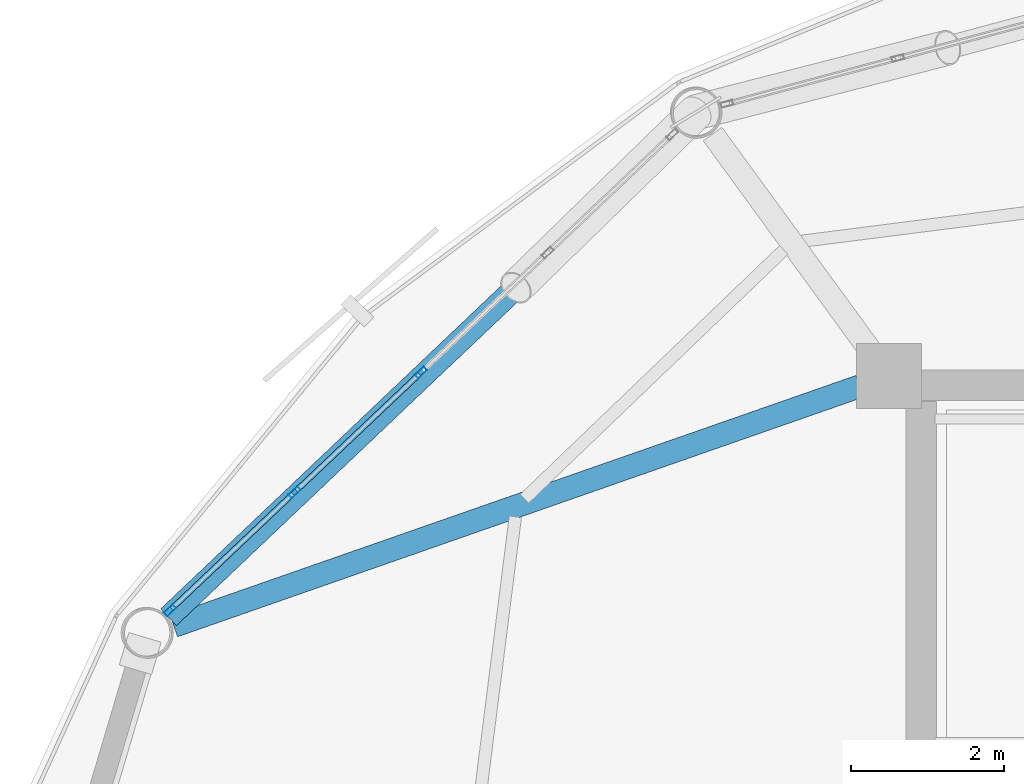
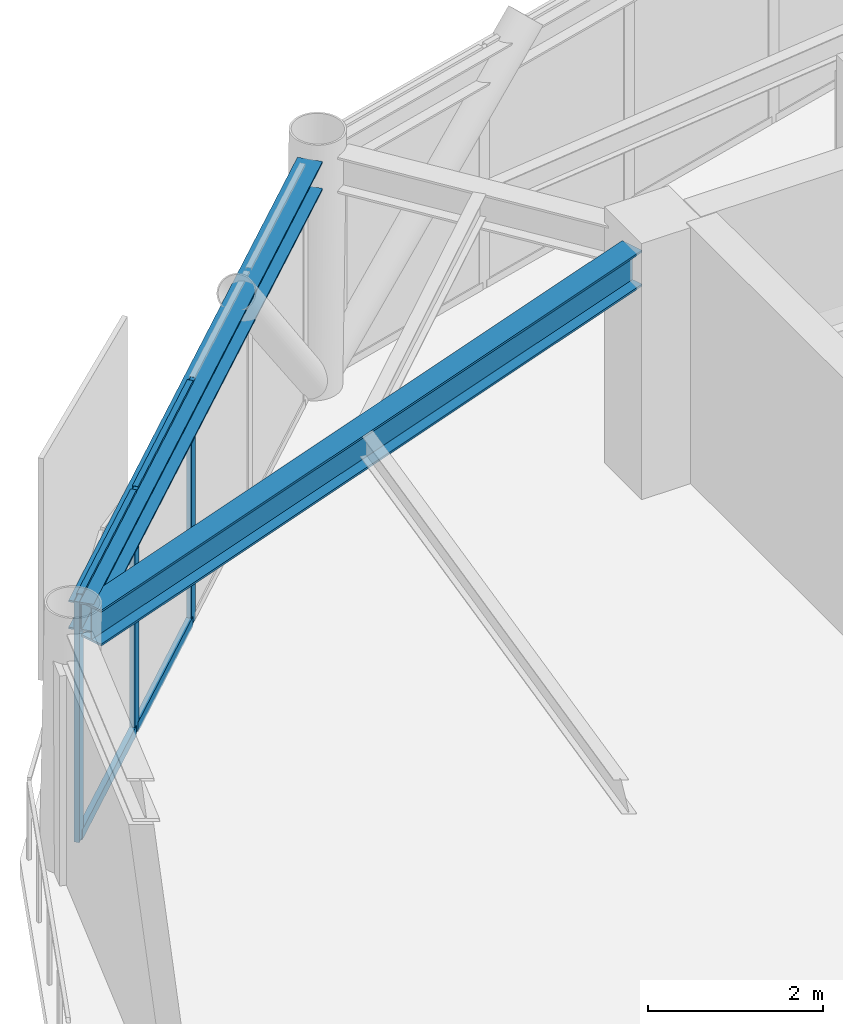
# One storey, part 14 of 29: 7 members, 2 beams, 1 element without a shape of its own.
"""IFC4 building model written with IfcOpenShell, lengths in metres."""

import ifcopenshell
import ifcopenshell.guid

model = None  # the IFC model being written
_history = None  # IfcOwnerHistory: only IFC2X3 demands one
_inside = {}  # id of a spatial element -> (the spatial element, [elements in it])
_under = {}  # id of a project, library or spatial element -> (it, [spatial elements below it])
_declared = {}  # id of a project -> (the project, [libraries it declares])
_typed = {}  # id of a type object -> (the type object, [elements of that type])
_made_of = {}  # id of a material, layer set ... -> (it, [elements and type objects made of it])


def new_model(schema):
    """Start an empty IFC model of exactly this schema.

    Asked for "IFC4X3", IfcOpenShell would pick the latest addendum, in which some entities
    have other attributes; the version numbers below select the first issue.
    IFC2X3 requires an IfcOwnerHistory on every rooted entity: one is made here for all.
    """
    global model, _history
    if schema == "IFC4X3":
        model = ifcopenshell.file(schema_version=(4, 3, 0, 0))
    else:
        model = ifcopenshell.file(schema=schema)
    _inside.clear()
    _under.clear()
    _declared.clear()
    _typed.clear()
    _made_of.clear()
    _history = None
    if model.schema == "IFC2X3":
        org = make("IfcOrganization", Name="unknown")
        user = make(
            "IfcPersonAndOrganization",
            ThePerson=make("IfcPerson", FamilyName="unknown"),
            TheOrganization=org,
        )
        app = make(
            "IfcApplication",
            ApplicationDeveloper=org,
            Version="unknown",
            ApplicationFullName="unknown",
            ApplicationIdentifier="unknown",
        )
        _history = make(
            "IfcOwnerHistory",
            OwningUser=user,
            OwningApplication=app,
            ChangeAction="ADDED",
            CreationDate=0,
        )
    return model


def make(cls, **values):
    """One entity of the class cls with the attributes given. An attribute that is None is left unset."""
    return model.create_entity(
        cls, **{name: value for name, value in values.items() if value is not None}
    )


def rooted(cls, **values):
    """An entity with a GlobalId (a new one), such as an element, a storey or a relation."""
    return make(cls, GlobalId=ifcopenshell.guid.new(), OwnerHistory=_history, **values)


def si_unit(unit_type, name, prefix=None):
    """IfcSIUnit, for example si_unit("LENGTHUNIT", "METRE", prefix="MILLI")."""
    return make("IfcSIUnit", UnitType=unit_type, Prefix=prefix, Name=name)


def assignment(units):
    """IfcUnitAssignment: the units of a project."""
    return None if units is None else make("IfcUnitAssignment", Units=units)


def point(xyz):
    """IfcCartesianPoint."""
    return None if xyz is None else make("IfcCartesianPoint", Coordinates=xyz)


def direction(xyz):
    """IfcDirection."""
    return None if xyz is None else make("IfcDirection", DirectionRatios=xyz)


def frame(location, z_axis=None, x_axis=None):
    """IfcAxis2Placement3D, a coordinate frame: its origin and axes. An axis left out is left unset."""
    return make(
        "IfcAxis2Placement3D",
        Location=point(location),
        Axis=direction(z_axis),
        RefDirection=direction(x_axis),
    )


def frame_2d(location, x_axis=None):
    """IfcAxis2Placement2D, a coordinate frame in the plane: its origin and x axis."""
    return make(
        "IfcAxis2Placement2D", Location=point(location), RefDirection=direction(x_axis)
    )


def origin():
    """The frame at (0, 0, 0) with its axes left unset."""
    return frame((0.0, 0.0, 0.0))


def origin_2d():
    """The frame at (0, 0) in the plane with its x axis left unset."""
    return frame_2d((0.0, 0.0))


def place(relative_to, where):
    """IfcLocalPlacement: puts the frame where relative to a parent placement (None: the world)."""
    return make(
        "IfcLocalPlacement", PlacementRelTo=relative_to, RelativePlacement=where
    )


def context(
    kind, dimensions, precision=None, world=None, true_north=None, identifier=None
):
    """IfcGeometricRepresentationContext, for example the 3D "Model" context."""
    return make(
        "IfcGeometricRepresentationContext",
        ContextIdentifier=identifier,
        ContextType=kind,
        CoordinateSpaceDimension=dimensions,
        Precision=precision,
        WorldCoordinateSystem=world,
        TrueNorth=true_north,
    )


def subcontext(parent, identifier, kind, view, scale=None):
    """IfcGeometricRepresentationSubContext, for example "Body" below "Model"."""
    return make(
        "IfcGeometricRepresentationSubContext",
        ContextIdentifier=identifier,
        ContextType=kind,
        ParentContext=parent,
        TargetScale=scale,
        TargetView=view,
    )


def project(units=None, contexts=None):
    """IfcProject with its units and contexts."""
    return rooted(
        "IfcProject",
        Name="project",
        RepresentationContexts=contexts,
        UnitsInContext=assignment(units),
    )


def spatial(cls, under=None, at=None, **own):
    """A site, building, storey or space (cls), placed at a placement, below another one or the project."""
    s = rooted(cls, ObjectPlacement=at, **own)
    if under is not None:
        _under.setdefault(under.id(), (under, []))[1].append(s)
    return s


def profile(cls, at=None, kind="AREA", **sizes):
    """A parametric profile (cls). Its sizes go by their IFC names, for example OverallWidth=200.0."""
    return make(cls, ProfileType=kind, Position=at, **sizes)


def hollow_rectangle(**sizes):
    """IfcRectangleHollowProfileDef."""
    return profile("IfcRectangleHollowProfileDef", **sizes)


def i_section(**sizes):
    """IfcIShapeProfileDef."""
    return profile("IfcIShapeProfileDef", **sizes)


def extrude(swept, where, along, depth):
    """IfcExtrudedAreaSolid: the profile swept, set in the frame where, extruded along a direction by depth."""
    return make(
        "IfcExtrudedAreaSolid",
        SweptArea=swept,
        Position=where,
        ExtrudedDirection=direction(along),
        Depth=depth,
    )


def shape(context_of_items, identifier, shape_type, items):
    """IfcShapeRepresentation: the items that make up one representation, for example the "Body"."""
    return make(
        "IfcShapeRepresentation",
        ContextOfItems=context_of_items,
        RepresentationIdentifier=identifier,
        RepresentationType=shape_type,
        Items=items,
    )


def material(Name=None, Category=None):
    """IfcMaterial."""
    return make("IfcMaterial", Name=Name, Category=Category)


def layer(
    of_material, thickness, ventilated=None, Name=None, Category=None, Priority=None
):
    """IfcMaterialLayer: one layer of a wall or slab, of a material (None: an air gap)."""
    return make(
        "IfcMaterialLayer",
        Material=of_material,
        LayerThickness=thickness,
        IsVentilated=ventilated,
        Name=Name,
        Category=Category,
        Priority=Priority,
    )


def layer_set(layers, Name=None):
    """IfcMaterialLayerSet."""
    return make("IfcMaterialLayerSet", MaterialLayers=layers, LayerSetName=Name)


def material_profile(
    of_material, cross_section, Name=None, Category=None, Priority=None
):
    """IfcMaterialProfile: a cross section and its material."""
    return make(
        "IfcMaterialProfile",
        Name=Name,
        Material=of_material,
        Profile=cross_section,
        Priority=Priority,
        Category=Category,
    )


def profile_set(profiles, Name=None, composite=None):
    """IfcMaterialProfileSet."""
    return make(
        "IfcMaterialProfileSet",
        Name=Name,
        MaterialProfiles=profiles,
        CompositeProfile=composite,
    )


def made_of(thing, what):
    """Note that an element or type object is made of a material, layer set ...; save() writes the relation."""
    if what is not None:
        _made_of.setdefault(what.id(), (what, []))[1].append(thing)
    return thing


def type_object(cls, material=None, **own):
    """A type object (cls), such as IfcWallType, which elements share."""
    return made_of(rooted(cls, **own), material)


def element(
    cls,
    number,
    at=None,
    inside=None,
    cuts=None,
    type_object=None,
    material=None,
    context=None,
    identifier="Body",
    shape_type=None,
    held_by="IfcProductDefinitionShape",
    body=None,
    shapes=None,
    **own,
):
    """One element of the class cls, such as IfcWall. Its Tag is "e" and its number.

    at: its placement. inside: the storey or other place that contains it. cuts: it is an
    opening in that element (IfcRelVoidsElement). A single representation is given by context,
    identifier, shape_type and body (its items); several are given by shapes. held_by: the class
    of the entity that holds the representations. save() writes the other relations.
    """
    e = rooted(cls, Tag="e%d" % number, ObjectPlacement=at, **own)
    if body is not None:
        shapes = [shape(context, identifier, shape_type, body)]
    if shapes is not None:
        e.Representation = make(held_by, Representations=shapes)
    if inside is not None:
        _inside.setdefault(inside.id(), (inside, []))[1].append(e)
    if cuts is not None:
        rooted(
            "IfcRelVoidsElement", RelatingBuildingElement=cuts, RelatedOpeningElement=e
        )
    if type_object is not None:
        _typed.setdefault(type_object.id(), (type_object, []))[1].append(e)
    return made_of(e, material)


def aggregate(whole, parts):
    """IfcRelAggregates: a whole, such as a stair, and the parts it consists of."""
    return rooted("IfcRelAggregates", RelatingObject=whole, RelatedObjects=parts)


def save(model, path):
    """Write the relations noted so far, then the file.

    IfcRelAggregates (storeys below a building ...), IfcRelContainedInSpatialStructure (elements
    in a storey), IfcRelDefinesByType, IfcRelAssociatesMaterial and IfcRelDeclares: one each for
    every whole, place, type object, material and project.
    """
    for whole, parts in _under.values():
        aggregate(whole, parts)
    for where, things in _inside.values():
        rooted(
            "IfcRelContainedInSpatialStructure",
            RelatedElements=things,
            RelatingStructure=where,
        )
    for kind, things in _typed.values():
        rooted("IfcRelDefinesByType", RelatedObjects=things, RelatingType=kind)
    for what, things in _made_of.values():
        rooted("IfcRelAssociatesMaterial", RelatedObjects=things, RelatingMaterial=what)
    for by, libraries in _declared.values():
        rooted("IfcRelDeclares", RelatingContext=by, RelatedDefinitions=libraries)
    model.write(path)


model = new_model("IFC4")

# Units and contexts
model_context = context("Model", 3, precision=1e-05, world=origin(), true_north=direction((0.0, 1.0)))
body_context = subcontext(model_context, "Body", "Model", "MODEL_VIEW")
ifc_project = project(units=[si_unit("LENGTHUNIT", "METRE"), si_unit("AREAUNIT", "SQUARE_METRE"), si_unit("VOLUMEUNIT", "CUBIC_METRE"), si_unit("PLANEANGLEUNIT", "RADIAN"), si_unit("MASSUNIT", "GRAM", prefix="KILO")], contexts=[model_context])

# Site, building, storey
site_placement = place(None, origin())
site = spatial("IfcSite", under=ifc_project, at=site_placement, CompositionType="ELEMENT")
building_placement = place(site_placement, origin())
building = spatial("IfcBuilding", under=site, at=building_placement, Name="Varnakorn Sky Granary", CompositionType="ELEMENT")
storey_placement = place(building_placement, frame((0.0, 0.0, 182.39990234375)))
storey = spatial("IfcBuildingStorey", under=building, at=storey_placement, Name="L45", CompositionType="ELEMENT", Elevation=182.39990234375)

# Beams
ifc_material_1 = material(Name="Steel S355JR", Category="steel")
ifc_material_profile_1 = material_profile(ifc_material_1, i_section(OverallWidth=0.300048828125, OverallDepth=0.5, WebThickness=0.014404296875, FlangeThickness=0.028076171875, at=origin_2d()), Name="HE 500 B")
ifc_profile_set_1 = profile_set([ifc_material_profile_1], Name="Steel S355JR")
beam_type_1 = type_object("IfcBeamType", Name="BM-RAD-Z4", PredefinedType="BEAM", material=ifc_profile_set_1)
beam_1_placement = place(storey_placement, frame((-2.80224609375, 12.486328125, 3.110107421875), z_axis=(-0.944052547942, -0.329795067768, 0.0), x_axis=(0.329795067768, -0.944052547942, 0.0)))
element("IfcBeam", 1, at=beam_1_placement, inside=storey, type_object=beam_type_1, Name="Radial Floor Girder RG06 L45", PredefinedType="BEAM", context=body_context, shape_type="SweptSolid", body=[
    extrude(i_section(OverallWidth=0.300048828125, OverallDepth=0.5, WebThickness=0.014404296875, FlangeThickness=0.028076171875, at=origin_2d()), origin(), (0.0, 0.0, 1.0), 9.478515625),
])
ifc_material_profile_2 = material_profile(ifc_material_1, i_section(OverallWidth=0.300048828125, OverallDepth=0.39990234375, WebThickness=0.013427734375, FlangeThickness=0.02392578125, at=origin_2d()), Name="HE 400 B")
ifc_profile_set_2 = profile_set([ifc_material_profile_2], Name="Steel S355JR")
beam_type_2 = type_object("IfcBeamType", Name="BM-SPD-Z4", PredefinedType="SPANDREL", material=ifc_profile_set_2)
beam_2_placement = place(storey_placement, frame((-5.134521484375, 15.81591796875, 3.16015625), z_axis=(-0.725435205261, -0.688290464098, 0.0), x_axis=(0.688290464098, -0.725435205261, 0.0)))
element("IfcBeam", 2, at=beam_2_placement, inside=storey, type_object=beam_type_2, Name="Perimeter Spandrel Ring Beam RB05 L45", PredefinedType="SPANDREL", context=body_context, shape_type="SweptSolid", body=[
    extrude(i_section(OverallWidth=0.300048828125, OverallDepth=0.39990234375, WebThickness=0.013427734375, FlangeThickness=0.02392578125, at=origin_2d()), origin(), (0.0, 0.0, 1.0), 9.21484375),
])

# Curtain wall, members
ifc_material_2 = material(Name="Anodised Bronze Aluminium Alloy 6063-T6", Category="aluminium")
ifc_layer = layer(ifc_material_2, 0.169921875, Name="Anodised Bronze Aluminium Alloy 6063-T6")
ifc_layer_set = layer_set([ifc_layer], Name="Anodised Bronze Aluminium Alloy 6063-T6")
curtain_wall_type = type_object("IfcCurtainWallType", Name="CW-LAB-1", PredefinedType="USERDEFINED", material=ifc_layer_set)
curtain_wall_placement = place(storey_placement, origin())
curtain_wall = element("IfcCurtainWall", 3, at=curtain_wall_placement, inside=storey, type_object=curtain_wall_type, Name="Unitised Curtain Wall CW5 CW-L45-B05", ObjectType="CURTAIN WALL", PredefinedType="USERDEFINED")
ifc_material_profile_3 = material_profile(ifc_material_2, hollow_rectangle(XDim=0.06494140625, YDim=0.159912109375, WallThickness=0.00341796875, at=origin_2d()), Name="ALU MULL 65x160")
ifc_profile_set_3 = profile_set([ifc_material_profile_3], Name="Anodised Bronze Aluminium Alloy 6063-T6")
member_type_1 = type_object("IfcMemberType", Name="CW-LAB-1-MULL", PredefinedType="MULLION", material=ifc_profile_set_3)
member_1_placement = place(storey_placement, frame((-11.800048828125, 9.56396484375, 0.0), z_axis=(0.0, 0.0, 1.0), x_axis=(-0.687692477005, 0.726002105418, 0.0)))
member_1 = element("IfcMember", 4, at=member_1_placement, type_object=member_type_1, Name="CW5 mullion 1", PredefinedType="MULLION", context=body_context, shape_type="SweptSolid", body=[
    extrude(hollow_rectangle(XDim=0.06494140625, YDim=0.159912109375, WallThickness=0.00341796875, at=origin_2d()), origin(), (0.0, 0.0, 1.0), 3.360107421875),
])
member_2_placement = place(storey_placement, frame((-10.173583984375, 11.104736328125, 0.0), z_axis=(0.0, 0.0, 1.0), x_axis=(-0.687692477005, 0.726002105418, 0.0)))
member_2 = element("IfcMember", 5, at=member_2_placement, type_object=member_type_1, Name="CW5 mullion 2", PredefinedType="MULLION", context=body_context, shape_type="SweptSolid", body=[
    extrude(hollow_rectangle(XDim=0.06494140625, YDim=0.159912109375, WallThickness=0.00341796875, at=origin_2d()), origin(), (0.0, 0.0, 1.0), 3.360107421875),
])
member_3_placement = place(storey_placement, frame((-8.5234375, 12.66796875, 0.0), z_axis=(0.0, 0.0, 1.0), x_axis=(-0.687692477005, 0.726002105418, 0.0)))
member_3 = element("IfcMember", 6, at=member_3_placement, type_object=member_type_1, Name="CW5 mullion 3", PredefinedType="MULLION", context=body_context, shape_type="SweptSolid", body=[
    extrude(hollow_rectangle(XDim=0.06494140625, YDim=0.159912109375, WallThickness=0.00341796875, at=origin_2d()), origin(), (0.0, 0.0, 1.0), 3.360107421875),
])
ifc_material_profile_4 = material_profile(ifc_material_2, hollow_rectangle(XDim=0.070068359375, YDim=0.139892578125, WallThickness=0.00341796875, at=origin_2d()), Name="ALU TRAN 70x140")
ifc_profile_set_4 = profile_set([ifc_material_profile_4], Name="Anodised Bronze Aluminium Alloy 6063-T6")
member_type_2 = type_object("IfcMemberType", Name="CW-LAB-1-TRAN", PredefinedType="USERDEFINED", material=ifc_profile_set_4)
member_4_placement = place(storey_placement, frame((-11.776611328125, 9.58642578125, 0.03515625), z_axis=(0.725982172965, 0.687713519234, 0.0), x_axis=(-0.687713519234, 0.725982172965, 0.0)))
member_4 = element("IfcMember", 7, at=member_4_placement, type_object=member_type_2, Name="CW5 transom 1.1", ObjectType="TRANSOM", PredefinedType="USERDEFINED", context=body_context, shape_type="SweptSolid", body=[
    extrude(hollow_rectangle(XDim=0.070068359375, YDim=0.139892578125, WallThickness=0.00341796875, at=origin_2d()), origin(), (0.0, 0.0, 1.0), 2.175537109375),
])
member_5_placement = place(storey_placement, frame((-11.776611328125, 9.58642578125, 3.3251953125), z_axis=(0.725982172965, 0.687713519234, 0.0), x_axis=(-0.687713519234, 0.725982172965, 0.0)))
member_5 = element("IfcMember", 8, at=member_5_placement, type_object=member_type_2, Name="CW5 transom 1.2", ObjectType="TRANSOM", PredefinedType="USERDEFINED", context=body_context, shape_type="SweptSolid", body=[
    extrude(hollow_rectangle(XDim=0.070068359375, YDim=0.139892578125, WallThickness=0.00341796875, at=origin_2d()), origin(), (0.0, 0.0, 1.0), 2.175537109375),
])
member_6_placement = place(storey_placement, frame((-10.14990234375, 11.127197265625, 0.03515625), z_axis=(0.726031130468, 0.687661833746, 0.0), x_axis=(-0.687661833746, 0.726031130468, 0.0)))
member_6 = element("IfcMember", 9, at=member_6_placement, type_object=member_type_2, Name="CW5 transom 2.1", ObjectType="TRANSOM", PredefinedType="USERDEFINED", context=body_context, shape_type="SweptSolid", body=[
    extrude(hollow_rectangle(XDim=0.070068359375, YDim=0.139892578125, WallThickness=0.00341796875, at=origin_2d()), origin(), (0.0, 0.0, 1.0), 2.2080078125),
])
member_7_placement = place(storey_placement, frame((-10.14990234375, 11.127197265625, 3.3251953125), z_axis=(0.726031130468, 0.687661833746, 0.0), x_axis=(-0.687661833746, 0.726031130468, 0.0)))
member_7 = element("IfcMember", 10, at=member_7_placement, type_object=member_type_2, Name="CW5 transom 2.2", ObjectType="TRANSOM", PredefinedType="USERDEFINED", context=body_context, shape_type="SweptSolid", body=[
    extrude(hollow_rectangle(XDim=0.070068359375, YDim=0.139892578125, WallThickness=0.00341796875, at=origin_2d()), origin(), (0.0, 0.0, 1.0), 2.2080078125),
])
aggregate(curtain_wall, [member_1, member_2, member_3, member_4, member_5, member_6, member_7])

save(model, "model.ifc")
